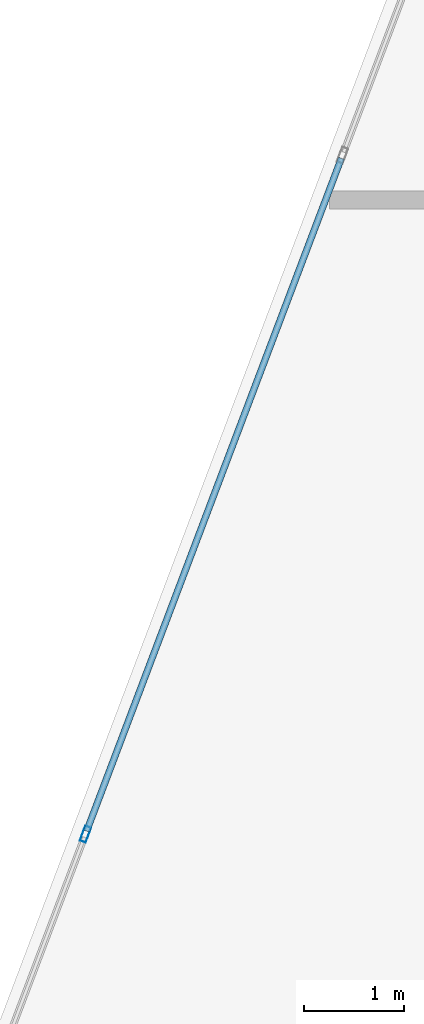
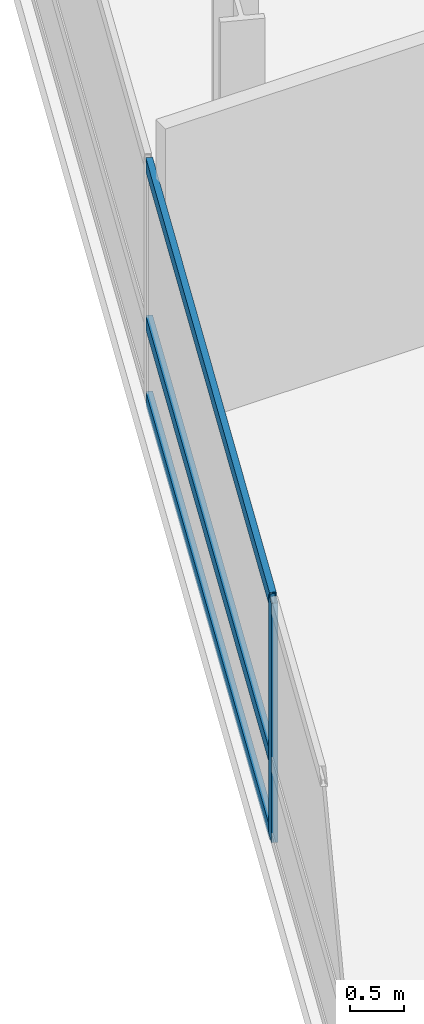
# One storey, part 6 of 24: 4 members, 1 element without a shape of its own.
"""IFC4 building model written with IfcOpenShell, lengths in metres."""

from ifc_helpers import new_model, si_unit, direction, frame, origin, origin_2d, place, context, subcontext, project, spatial, hollow_rectangle, extrude, material, layer, layer_set, material_profile, profile_set, type_object, element, aggregate, save


model = new_model("IFC4")

# Units and contexts
model_context = context("Model", 3, precision=1e-05, world=origin(), true_north=direction((0.0, 1.0)))
body_context = subcontext(model_context, "Body", "Model", "MODEL_VIEW")
ifc_project = project(units=[si_unit("LENGTHUNIT", "METRE"), si_unit("AREAUNIT", "SQUARE_METRE"), si_unit("VOLUMEUNIT", "CUBIC_METRE"), si_unit("PLANEANGLEUNIT", "RADIAN"), si_unit("MASSUNIT", "GRAM", prefix="KILO")], contexts=[model_context])

# Site, building, storey
site_placement = place(None, origin())
site = spatial("IfcSite", under=ifc_project, at=site_placement, CompositionType="ELEMENT")
building_placement = place(site_placement, origin())
building = spatial("IfcBuilding", under=site, at=building_placement, Name="Varnelok Gate Tower", CompositionType="ELEMENT")
storey_placement = place(building_placement, frame((0.0, 0.0, 87.300048828125)))
storey = spatial("IfcBuildingStorey", under=building, at=storey_placement, Name="L21", CompositionType="ELEMENT", Elevation=87.300048828125)

# Curtain wall, members
ifc_material = material(Name="Anodized Aluminum Alloy 6063-T6", Category="aluminium")
ifc_layer = layer(ifc_material, 0.179931640625)
ifc_layer_set = layer_set([ifc_layer], Name="Anodized Aluminum Alloy 6063-T6")
curtain_wall_type = type_object("IfcCurtainWallType", Name="CW3-HOTEL-VISION", PredefinedType="USERDEFINED", material=ifc_layer_set)
curtain_wall_placement = place(storey_placement, origin())
curtain_wall = element("IfcCurtainWall", 1, at=curtain_wall_placement, inside=storey, type_object=curtain_wall_type, Name="L21 West End Vision Curtain Wall", ObjectType="UNITISED CURTAIN WALL", PredefinedType="USERDEFINED")
ifc_material_profile_1 = material_profile(ifc_material, hollow_rectangle(XDim=0.06494140625, YDim=0.159912109375, WallThickness=0.00390625, at=origin_2d()), Name="ALU160X65X4")
ifc_profile_set_1 = profile_set([ifc_material_profile_1], Name="Anodized Aluminum Alloy 6063-T6")
member_type_1 = type_object("IfcMemberType", Name="CW-MULL-160", PredefinedType="MULLION", material=ifc_profile_set_1)
member_1_placement = place(storey_placement, frame((3.072021484375, 35.10693359375, 0.0), z_axis=(0.0, 0.0, 1.0), x_axis=(-0.935221323688, 0.354063660545, 0.0)))
member_1 = element("IfcMember", 2, at=member_1_placement, type_object=member_type_1, Name="CW3 mullion 3", PredefinedType="MULLION", context=body_context, shape_type="SweptSolid", body=[
    extrude(hollow_rectangle(XDim=0.06494140625, YDim=0.159912109375, WallThickness=0.00390625, at=origin_2d()), origin(), (0.0, 0.0, 1.0), 2.72998046875),
])
ifc_material_profile_2 = material_profile(ifc_material, hollow_rectangle(XDim=0.06494140625, YDim=0.159912109375, WallThickness=0.00390625, at=origin_2d()), Name="ALU160X65X4")
ifc_profile_set_2 = profile_set([ifc_material_profile_2], Name="Anodized Aluminum Alloy 6063-T6")
member_type_2 = type_object("IfcMemberType", Name="CW-TRAN-160", PredefinedType="USERDEFINED", material=ifc_profile_set_2)
member_2_placement = place(storey_placement, frame((3.08349609375, 35.13720703125, 0.032470703125), z_axis=(0.354048963644, 0.935226887628, 0.0), x_axis=(-0.935226887628, 0.354048963644, 0.0)))
member_2 = element("IfcMember", 3, at=member_2_placement, type_object=member_type_2, Name="CW3 transom 3.1", ObjectType="TRANSOM", PredefinedType="USERDEFINED", context=body_context, shape_type="SweptSolid", body=[
    extrude(hollow_rectangle(XDim=0.06494140625, YDim=0.159912109375, WallThickness=0.00390625, at=origin_2d()), origin(), (0.0, 0.0, 1.0), 7.175048828125),
])
member_3_placement = place(storey_placement, frame((3.08349609375, 35.13720703125, 0.89990234375), z_axis=(0.354048963644, 0.935226887628, 0.0), x_axis=(-0.935226887628, 0.354048963644, 0.0)))
member_3 = element("IfcMember", 4, at=member_3_placement, type_object=member_type_2, Name="CW3 transom 3.2", ObjectType="TRANSOM", PredefinedType="USERDEFINED", context=body_context, shape_type="SweptSolid", body=[
    extrude(hollow_rectangle(XDim=0.06494140625, YDim=0.159912109375, WallThickness=0.00390625, at=origin_2d()), origin(), (0.0, 0.0, 1.0), 7.175048828125),
])
member_4_placement = place(storey_placement, frame((3.08349609375, 35.13720703125, 2.697509765625), z_axis=(0.354048963644, 0.935226887628, 0.0), x_axis=(-0.935226887628, 0.354048963644, 0.0)))
member_4 = element("IfcMember", 5, at=member_4_placement, type_object=member_type_2, Name="CW3 transom 3.3", ObjectType="TRANSOM", PredefinedType="USERDEFINED", context=body_context, shape_type="SweptSolid", body=[
    extrude(hollow_rectangle(XDim=0.06494140625, YDim=0.159912109375, WallThickness=0.00390625, at=origin_2d()), origin(), (0.0, 0.0, 1.0), 7.175048828125),
])
aggregate(curtain_wall, [member_1, member_2, member_3, member_4])

save(model, "model.ifc")
